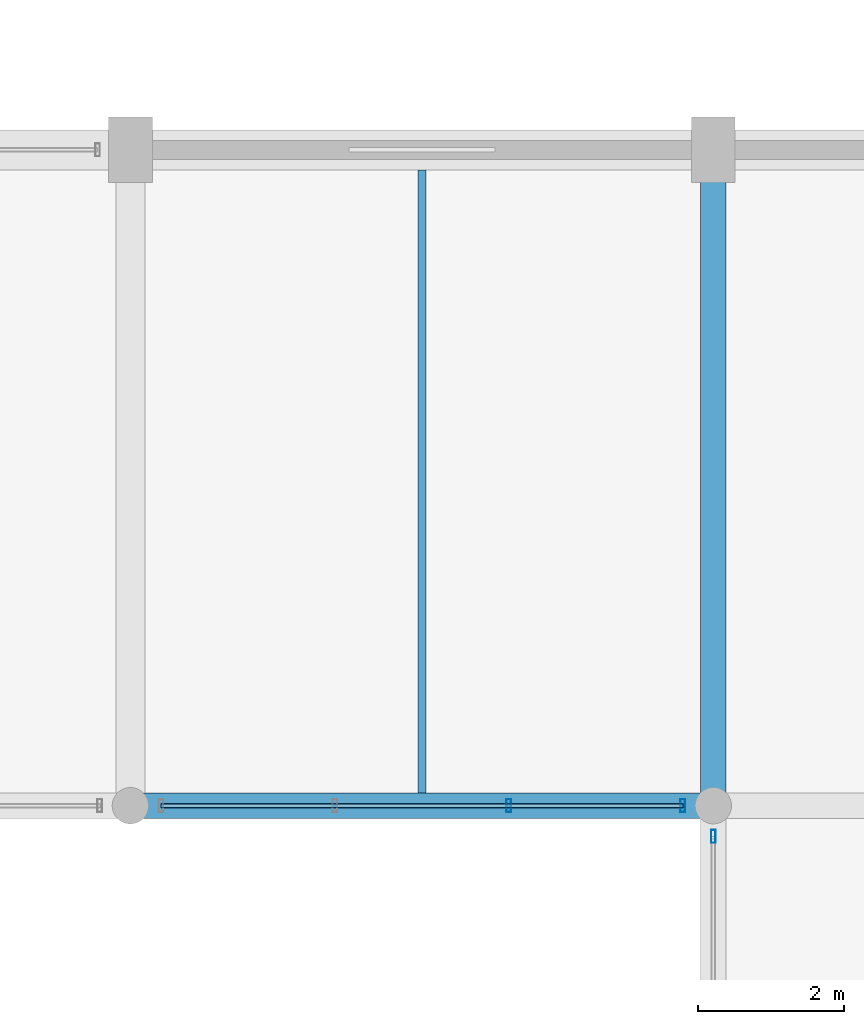
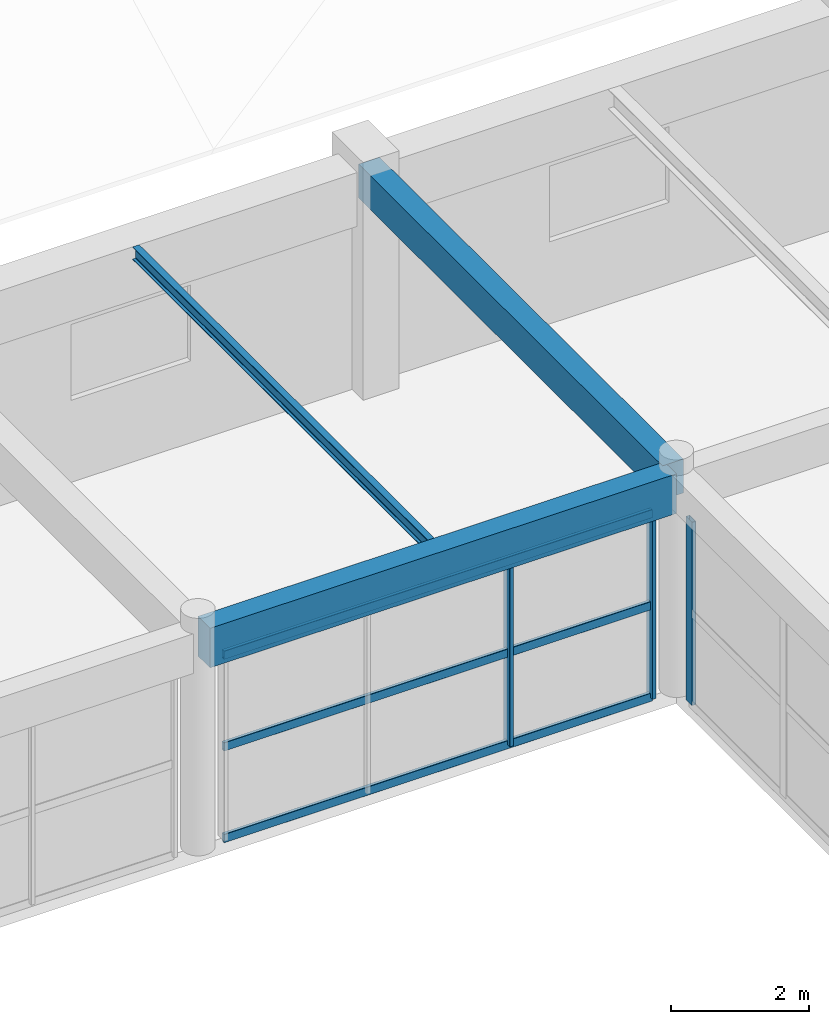
# One storey, part 22 of 63: 6 members, 3 beams, 2 elements without a shape of their own.
"""IFC4 building model written with IfcOpenShell, lengths in metres."""

import ifcopenshell
import ifcopenshell.guid

model = None  # the IFC model being written
_history = None  # IfcOwnerHistory: only IFC2X3 demands one
_inside = {}  # id of a spatial element -> (the spatial element, [elements in it])
_under = {}  # id of a project, library or spatial element -> (it, [spatial elements below it])
_declared = {}  # id of a project -> (the project, [libraries it declares])
_typed = {}  # id of a type object -> (the type object, [elements of that type])
_made_of = {}  # id of a material, layer set ... -> (it, [elements and type objects made of it])


def new_model(schema):
    """Start an empty IFC model of exactly this schema.

    Asked for "IFC4X3", IfcOpenShell would pick the latest addendum, in which some entities
    have other attributes; the version numbers below select the first issue.
    IFC2X3 requires an IfcOwnerHistory on every rooted entity: one is made here for all.
    """
    global model, _history
    if schema == "IFC4X3":
        model = ifcopenshell.file(schema_version=(4, 3, 0, 0))
    else:
        model = ifcopenshell.file(schema=schema)
    _inside.clear()
    _under.clear()
    _declared.clear()
    _typed.clear()
    _made_of.clear()
    _history = None
    if model.schema == "IFC2X3":
        org = make("IfcOrganization", Name="unknown")
        user = make(
            "IfcPersonAndOrganization",
            ThePerson=make("IfcPerson", FamilyName="unknown"),
            TheOrganization=org,
        )
        app = make(
            "IfcApplication",
            ApplicationDeveloper=org,
            Version="unknown",
            ApplicationFullName="unknown",
            ApplicationIdentifier="unknown",
        )
        _history = make(
            "IfcOwnerHistory",
            OwningUser=user,
            OwningApplication=app,
            ChangeAction="ADDED",
            CreationDate=0,
        )
    return model


def make(cls, **values):
    """One entity of the class cls with the attributes given. An attribute that is None is left unset."""
    return model.create_entity(
        cls, **{name: value for name, value in values.items() if value is not None}
    )


def rooted(cls, **values):
    """An entity with a GlobalId (a new one), such as an element, a storey or a relation."""
    return make(cls, GlobalId=ifcopenshell.guid.new(), OwnerHistory=_history, **values)


def si_unit(unit_type, name, prefix=None):
    """IfcSIUnit, for example si_unit("LENGTHUNIT", "METRE", prefix="MILLI")."""
    return make("IfcSIUnit", UnitType=unit_type, Prefix=prefix, Name=name)


def assignment(units):
    """IfcUnitAssignment: the units of a project."""
    return None if units is None else make("IfcUnitAssignment", Units=units)


def point(xyz):
    """IfcCartesianPoint."""
    return None if xyz is None else make("IfcCartesianPoint", Coordinates=xyz)


def direction(xyz):
    """IfcDirection."""
    return None if xyz is None else make("IfcDirection", DirectionRatios=xyz)


def frame(location, z_axis=None, x_axis=None):
    """IfcAxis2Placement3D, a coordinate frame: its origin and axes. An axis left out is left unset."""
    return make(
        "IfcAxis2Placement3D",
        Location=point(location),
        Axis=direction(z_axis),
        RefDirection=direction(x_axis),
    )


def frame_2d(location, x_axis=None):
    """IfcAxis2Placement2D, a coordinate frame in the plane: its origin and x axis."""
    return make(
        "IfcAxis2Placement2D", Location=point(location), RefDirection=direction(x_axis)
    )


def origin():
    """The frame at (0, 0, 0) with its axes left unset."""
    return frame((0.0, 0.0, 0.0))


def origin_2d():
    """The frame at (0, 0) in the plane with its x axis left unset."""
    return frame_2d((0.0, 0.0))


def place(relative_to, where):
    """IfcLocalPlacement: puts the frame where relative to a parent placement (None: the world)."""
    return make(
        "IfcLocalPlacement", PlacementRelTo=relative_to, RelativePlacement=where
    )


def context(
    kind, dimensions, precision=None, world=None, true_north=None, identifier=None
):
    """IfcGeometricRepresentationContext, for example the 3D "Model" context."""
    return make(
        "IfcGeometricRepresentationContext",
        ContextIdentifier=identifier,
        ContextType=kind,
        CoordinateSpaceDimension=dimensions,
        Precision=precision,
        WorldCoordinateSystem=world,
        TrueNorth=true_north,
    )


def subcontext(parent, identifier, kind, view, scale=None):
    """IfcGeometricRepresentationSubContext, for example "Body" below "Model"."""
    return make(
        "IfcGeometricRepresentationSubContext",
        ContextIdentifier=identifier,
        ContextType=kind,
        ParentContext=parent,
        TargetScale=scale,
        TargetView=view,
    )


def project(units=None, contexts=None):
    """IfcProject with its units and contexts."""
    return rooted(
        "IfcProject",
        Name="project",
        RepresentationContexts=contexts,
        UnitsInContext=assignment(units),
    )


def spatial(cls, under=None, at=None, **own):
    """A site, building, storey or space (cls), placed at a placement, below another one or the project."""
    s = rooted(cls, ObjectPlacement=at, **own)
    if under is not None:
        _under.setdefault(under.id(), (under, []))[1].append(s)
    return s


def profile(cls, at=None, kind="AREA", **sizes):
    """A parametric profile (cls). Its sizes go by their IFC names, for example OverallWidth=200.0."""
    return make(cls, ProfileType=kind, Position=at, **sizes)


def rectangle(**sizes):
    """IfcRectangleProfileDef."""
    return profile("IfcRectangleProfileDef", **sizes)


def hollow_rectangle(**sizes):
    """IfcRectangleHollowProfileDef."""
    return profile("IfcRectangleHollowProfileDef", **sizes)


def i_section(**sizes):
    """IfcIShapeProfileDef."""
    return profile("IfcIShapeProfileDef", **sizes)


def extrude(swept, where, along, depth):
    """IfcExtrudedAreaSolid: the profile swept, set in the frame where, extruded along a direction by depth."""
    return make(
        "IfcExtrudedAreaSolid",
        SweptArea=swept,
        Position=where,
        ExtrudedDirection=direction(along),
        Depth=depth,
    )


def shape(context_of_items, identifier, shape_type, items):
    """IfcShapeRepresentation: the items that make up one representation, for example the "Body"."""
    return make(
        "IfcShapeRepresentation",
        ContextOfItems=context_of_items,
        RepresentationIdentifier=identifier,
        RepresentationType=shape_type,
        Items=items,
    )


def material(Name=None, Category=None):
    """IfcMaterial."""
    return make("IfcMaterial", Name=Name, Category=Category)


def material_profile(
    of_material, cross_section, Name=None, Category=None, Priority=None
):
    """IfcMaterialProfile: a cross section and its material."""
    return make(
        "IfcMaterialProfile",
        Name=Name,
        Material=of_material,
        Profile=cross_section,
        Priority=Priority,
        Category=Category,
    )


def profile_set(profiles, Name=None, composite=None):
    """IfcMaterialProfileSet."""
    return make(
        "IfcMaterialProfileSet",
        Name=Name,
        MaterialProfiles=profiles,
        CompositeProfile=composite,
    )


def made_of(thing, what):
    """Note that an element or type object is made of a material, layer set ...; save() writes the relation."""
    if what is not None:
        _made_of.setdefault(what.id(), (what, []))[1].append(thing)
    return thing


def type_object(cls, material=None, **own):
    """A type object (cls), such as IfcWallType, which elements share."""
    return made_of(rooted(cls, **own), material)


def element(
    cls,
    number,
    at=None,
    inside=None,
    cuts=None,
    type_object=None,
    material=None,
    context=None,
    identifier="Body",
    shape_type=None,
    held_by="IfcProductDefinitionShape",
    body=None,
    shapes=None,
    **own,
):
    """One element of the class cls, such as IfcWall. Its Tag is "e" and its number.

    at: its placement. inside: the storey or other place that contains it. cuts: it is an
    opening in that element (IfcRelVoidsElement). A single representation is given by context,
    identifier, shape_type and body (its items); several are given by shapes. held_by: the class
    of the entity that holds the representations. save() writes the other relations.
    """
    e = rooted(cls, Tag="e%d" % number, ObjectPlacement=at, **own)
    if body is not None:
        shapes = [shape(context, identifier, shape_type, body)]
    if shapes is not None:
        e.Representation = make(held_by, Representations=shapes)
    if inside is not None:
        _inside.setdefault(inside.id(), (inside, []))[1].append(e)
    if cuts is not None:
        rooted(
            "IfcRelVoidsElement", RelatingBuildingElement=cuts, RelatedOpeningElement=e
        )
    if type_object is not None:
        _typed.setdefault(type_object.id(), (type_object, []))[1].append(e)
    return made_of(e, material)


def aggregate(whole, parts):
    """IfcRelAggregates: a whole, such as a stair, and the parts it consists of."""
    return rooted("IfcRelAggregates", RelatingObject=whole, RelatedObjects=parts)


def save(model, path):
    """Write the relations noted so far, then the file.

    IfcRelAggregates (storeys below a building ...), IfcRelContainedInSpatialStructure (elements
    in a storey), IfcRelDefinesByType, IfcRelAssociatesMaterial and IfcRelDeclares: one each for
    every whole, place, type object, material and project.
    """
    for whole, parts in _under.values():
        aggregate(whole, parts)
    for where, things in _inside.values():
        rooted(
            "IfcRelContainedInSpatialStructure",
            RelatedElements=things,
            RelatingStructure=where,
        )
    for kind, things in _typed.values():
        rooted("IfcRelDefinesByType", RelatedObjects=things, RelatingType=kind)
    for what, things in _made_of.values():
        rooted("IfcRelAssociatesMaterial", RelatedObjects=things, RelatingMaterial=what)
    for by, libraries in _declared.values():
        rooted("IfcRelDeclares", RelatingContext=by, RelatedDefinitions=libraries)
    model.write(path)


model = new_model("IFC4")

# Units and contexts
model_context = context("Model", 3, precision=1e-05, world=origin(), true_north=direction((0.0, 1.0)))
body_context = subcontext(model_context, "Body", "Model", "MODEL_VIEW")
ifc_project = project(units=[si_unit("LENGTHUNIT", "METRE"), si_unit("AREAUNIT", "SQUARE_METRE"), si_unit("VOLUMEUNIT", "CUBIC_METRE"), si_unit("PLANEANGLEUNIT", "RADIAN"), si_unit("MASSUNIT", "GRAM", prefix="KILO")], contexts=[model_context])

# Site, building, storey
site_placement = place(None, origin())
site = spatial("IfcSite", under=ifc_project, at=site_placement, CompositionType="ELEMENT")
building_placement = place(site_placement, origin())
building = spatial("IfcBuilding", under=site, at=building_placement, Name="Varnabhumi Central Station", CompositionType="ELEMENT")
storey_placement = place(building_placement, frame((0.0, 0.0, 20.39990234375)))
storey = spatial("IfcBuildingStorey", under=building, at=storey_placement, Name="L04", CompositionType="ELEMENT", Elevation=20.39990234375)

# Beams
ifc_material_1 = material(Name="Concrete M40", Category="concrete")
ifc_material_profile_1 = material_profile(ifc_material_1, rectangle(XDim=0.35009765625, YDim=0.60009765625, at=origin_2d()), Name="Concrete M40", Category="concrete")
ifc_profile_set_1 = profile_set([ifc_material_profile_1], Name="Concrete M40")
beam_type_1 = type_object("IfcBeamType", Name="BM-RC-350x600", PredefinedType="BEAM", material=ifc_profile_set_1)
beam_1_placement = place(storey_placement, frame((144.0, 27.10009765625, 3.6201171875), z_axis=(0.0, 1.0, 0.0), x_axis=(-1.0, 0.0, 0.0)))
element("IfcBeam", 1, at=beam_1_placement, inside=storey, type_object=beam_type_1, Name="Beam L04-19:D-E", PredefinedType="BEAM", context=body_context, shape_type="SweptSolid", body=[
    extrude(rectangle(XDim=0.35009765625, YDim=0.60009765625, at=origin_2d()), origin(), (0.0, 0.0, 1.0), 8.7998046875),
])
ifc_material_profile_2 = material_profile(ifc_material_1, rectangle(XDim=0.35009765625, YDim=0.699951171875, at=origin_2d()), Name="Concrete M40", Category="concrete")
ifc_profile_set_2 = profile_set([ifc_material_profile_2], Name="Concrete M40")
beam_type_2 = type_object("IfcBeamType", Name="BM-RC-350x700", PredefinedType="BEAM", material=ifc_profile_set_2)
beam_2_placement = place(storey_placement, frame((136.10009765625, 27.0, 3.570068359375), z_axis=(1.0, 0.0, 0.0), x_axis=(0.0, 1.0, 0.0)))
element("IfcBeam", 2, at=beam_2_placement, inside=storey, type_object=beam_type_2, Name="Beam L04-D:18-19", PredefinedType="BEAM", context=body_context, shape_type="SweptSolid", body=[
    extrude(rectangle(XDim=0.35009765625, YDim=0.699951171875, at=origin_2d()), origin(), (0.0, 0.0, 1.0), 7.7998046875),
])
ifc_material_2 = material(Name="Structural steel E350", Category="steel")
ifc_material_profile_3 = material_profile(ifc_material_2, i_section(OverallWidth=0.110107421875, OverallDepth=0.22509765625, WebThickness=0.006591796875, FlangeThickness=0.01171875, FilletRadius=0.011962890625, at=origin_2d()), Name="Structural steel E350", Category="steel")
ifc_profile_set_3 = profile_set([ifc_material_profile_3], Name="Structural steel E350")
beam_type_3 = type_object("IfcBeamType", Name="BM-STL-ISMB225", PredefinedType="JOIST", material=ifc_profile_set_3)
beam_3_placement = place(storey_placement, frame((140.0, 27.175048828125, 3.8076171875), z_axis=(0.0, 1.0, 0.0), x_axis=(-1.0, 0.0, 0.0)))
element("IfcBeam", 3, at=beam_3_placement, inside=storey, type_object=beam_type_3, Name="Secondary Joist L04-18/19:D-E", PredefinedType="JOIST", context=body_context, shape_type="SweptSolid", body=[
    extrude(i_section(OverallWidth=0.110107421875, OverallDepth=0.22509765625, WebThickness=0.006591796875, FlangeThickness=0.01171875, FilletRadius=0.011962890625, at=origin_2d()), origin(), (0.0, 0.0, 1.0), 8.550048828125),
])

# Curtain wall, member
ifc_material_3 = material(Name="Anodised aluminium 6063-T6", Category="aluminium")
curtain_wall_type = type_object("IfcCurtainWallType", Name="CW-PATIO-LOGGIA-L3", PredefinedType="NOTDEFINED", material=ifc_material_3)
curtain_wall_1_placement = place(storey_placement, origin())
curtain_wall_1 = element("IfcCurtainWall", 4, at=curtain_wall_1_placement, inside=storey, type_object=curtain_wall_type, Name="Curtain Wall CW-SP4W2", PredefinedType="NOTDEFINED")
ifc_material_profile_4 = material_profile(ifc_material_3, hollow_rectangle(XDim=0.06494140625, YDim=0.179931640625, WallThickness=0.00390625, InnerFilletRadius=0.001953125, OuterFilletRadius=0.006103515625, at=origin_2d()), Name="Anodised aluminium 6063-T6", Category="aluminium")
ifc_profile_set_4 = profile_set([ifc_material_profile_4], Name="Anodised aluminium 6063-T6")
member_type_1 = type_object("IfcMemberType", Name="CW-MUL-180", PredefinedType="MULLION", material=ifc_profile_set_4)
member_1_placement = place(storey_placement, frame((144.0, 26.580078125, 0.0), z_axis=(0.0, 0.0, 1.0), x_axis=(1.0, 0.0, 0.0)))
member_1 = element("IfcMember", 5, at=member_1_placement, type_object=member_type_1, Name="Curtain Wall Mullion CW-SP4W2-M4", PredefinedType="MULLION", context=body_context, shape_type="SweptSolid", body=[
    extrude(hollow_rectangle(XDim=0.06494140625, YDim=0.179931640625, WallThickness=0.00390625, InnerFilletRadius=0.001953125, OuterFilletRadius=0.006103515625, at=origin_2d()), origin(), (0.0, 0.0, 1.0), 3.239990234375),
])
aggregate(curtain_wall_1, [member_1])

# Curtain wall, members
curtain_wall_2_placement = place(storey_placement, origin())
curtain_wall_2 = element("IfcCurtainWall", 6, at=curtain_wall_2_placement, inside=storey, type_object=curtain_wall_type, Name="Curtain Wall CW-SP4N4", PredefinedType="NOTDEFINED")
member_2_placement = place(storey_placement, frame((141.193359375, 27.0, 0.0), z_axis=(0.0, 0.0, 1.0), x_axis=(1.0, 0.0, 0.0)))
member_2 = element("IfcMember", 7, at=member_2_placement, type_object=member_type_1, Name="Curtain Wall Mullion CW-SP4N4-M3", PredefinedType="MULLION", context=body_context, shape_type="SweptSolid", body=[
    extrude(hollow_rectangle(XDim=0.06494140625, YDim=0.179931640625, WallThickness=0.00390625, InnerFilletRadius=0.001953125, OuterFilletRadius=0.006103515625, at=origin_2d()), origin(), (0.0, 0.0, 1.0), 3.239990234375),
])
member_3_placement = place(storey_placement, frame((143.580078125, 27.0, 0.0), z_axis=(0.0, 0.0, 1.0), x_axis=(1.0, 0.0, 0.0)))
member_3 = element("IfcMember", 8, at=member_3_placement, type_object=member_type_1, Name="Curtain Wall Mullion CW-SP4N4-M4", PredefinedType="MULLION", context=body_context, shape_type="SweptSolid", body=[
    extrude(hollow_rectangle(XDim=0.06494140625, YDim=0.179931640625, WallThickness=0.00390625, InnerFilletRadius=0.001953125, OuterFilletRadius=0.006103515625, at=origin_2d()), origin(), (0.0, 0.0, 1.0), 3.239990234375),
])
ifc_material_profile_5 = material_profile(ifc_material_3, hollow_rectangle(XDim=0.06005859375, YDim=0.14990234375, WallThickness=0.00390625, InnerFilletRadius=0.001953125, OuterFilletRadius=0.006103515625, at=origin_2d()), Name="Anodised aluminium 6063-T6", Category="aluminium")
ifc_profile_set_5 = profile_set([ifc_material_profile_5], Name="Anodised aluminium 6063-T6")
member_type_2 = type_object("IfcMemberType", Name="CW-TR-150", PredefinedType="USERDEFINED", material=ifc_profile_set_5)
member_4_placement = place(storey_placement, frame((136.419921875, 27.0, 0.0), z_axis=(1.0, 0.0, 0.0), x_axis=(0.0, 1.0, 0.0)))
member_4 = element("IfcMember", 9, at=member_4_placement, type_object=member_type_2, Name="Curtain Wall Transom CW-SP4N4-T1", ObjectType="TRANSOM", PredefinedType="USERDEFINED", context=body_context, shape_type="SweptSolid", body=[
    extrude(hollow_rectangle(XDim=0.06005859375, YDim=0.14990234375, WallThickness=0.00390625, InnerFilletRadius=0.001953125, OuterFilletRadius=0.006103515625, at=origin_2d()), origin(), (0.0, 0.0, 1.0), 7.16015625),
])
member_5_placement = place(storey_placement, frame((136.419921875, 27.0, 1.6201171875), z_axis=(1.0, 0.0, 0.0), x_axis=(0.0, 1.0, 0.0)))
member_5 = element("IfcMember", 10, at=member_5_placement, type_object=member_type_2, Name="Curtain Wall Transom CW-SP4N4-T2", ObjectType="TRANSOM", PredefinedType="USERDEFINED", context=body_context, shape_type="SweptSolid", body=[
    extrude(hollow_rectangle(XDim=0.06005859375, YDim=0.14990234375, WallThickness=0.00390625, InnerFilletRadius=0.001953125, OuterFilletRadius=0.006103515625, at=origin_2d()), origin(), (0.0, 0.0, 1.0), 7.16015625),
])
member_6_placement = place(storey_placement, frame((136.419921875, 27.0, 3.239990234375), z_axis=(1.0, 0.0, 0.0), x_axis=(0.0, 1.0, 0.0)))
member_6 = element("IfcMember", 11, at=member_6_placement, type_object=member_type_2, Name="Curtain Wall Transom CW-SP4N4-T3", ObjectType="TRANSOM", PredefinedType="USERDEFINED", context=body_context, shape_type="SweptSolid", body=[
    extrude(hollow_rectangle(XDim=0.06005859375, YDim=0.14990234375, WallThickness=0.00390625, InnerFilletRadius=0.001953125, OuterFilletRadius=0.006103515625, at=origin_2d()), origin(), (0.0, 0.0, 1.0), 7.16015625),
])
aggregate(curtain_wall_2, [member_2, member_3, member_4, member_5, member_6])

save(model, "model.ifc")
